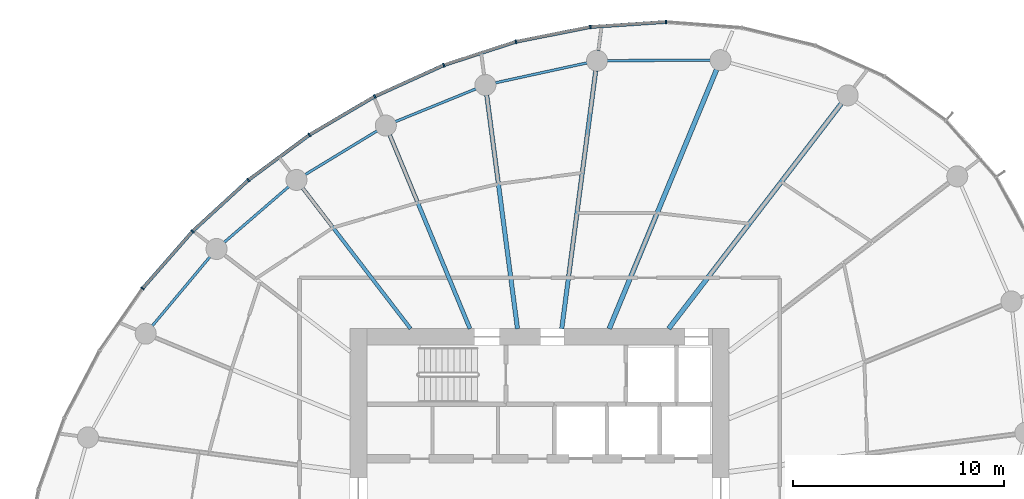
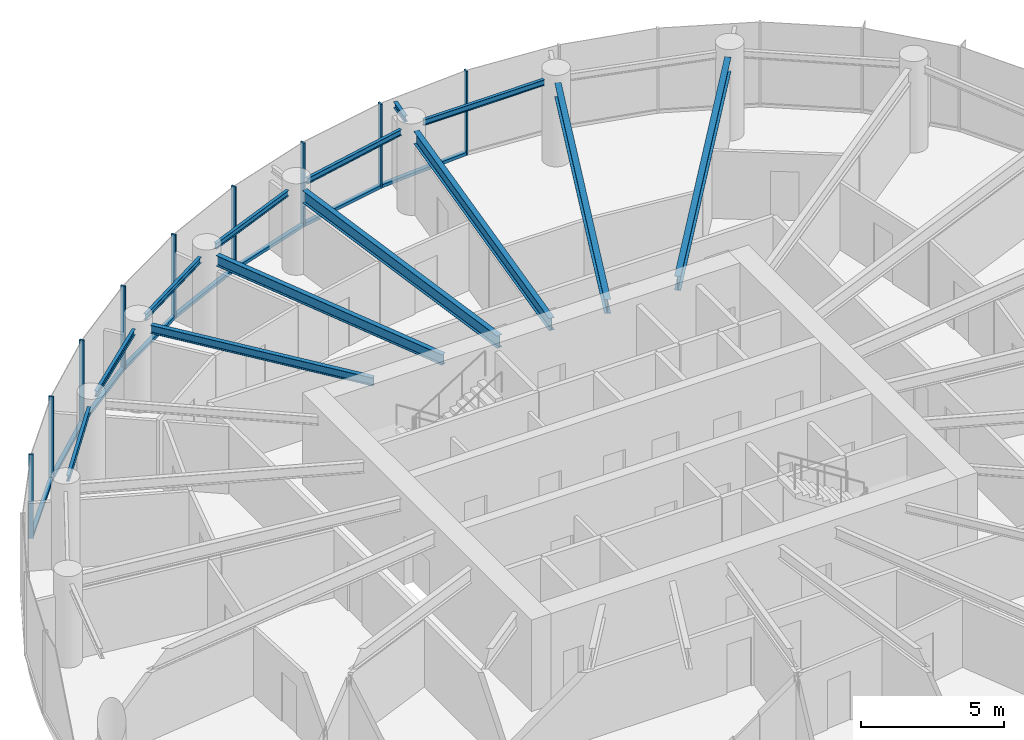
# One storey, part 5 of 15: 17 members, 13 beams, 3 elements without a shape of their own.
"""IFC4 building model written with IfcOpenShell, lengths in metres."""

from ifc_helpers import new_model, si_unit, direction, frame, origin, origin_2d, place, context, subcontext, project, spatial, rectangle, i_section, extrude, source, transform, mapped, material, layer, layer_set, material_profile, profile_set, type_object, element, aggregate, save


model = new_model("IFC4")

# Units and contexts
model_context = context("Model", 3, precision=1e-05, world=origin(), true_north=direction((0.0, 1.0)))
body_context = subcontext(model_context, "Body", "Model", "MODEL_VIEW")
ifc_project = project(units=[si_unit("LENGTHUNIT", "METRE"), si_unit("AREAUNIT", "SQUARE_METRE"), si_unit("VOLUMEUNIT", "CUBIC_METRE"), si_unit("PLANEANGLEUNIT", "RADIAN"), si_unit("MASSUNIT", "GRAM", prefix="KILO")], contexts=[model_context])

# Site, building, storey
site_placement = place(None, origin())
site = spatial("IfcSite", under=ifc_project, at=site_placement, CompositionType="ELEMENT")
building_placement = place(site_placement, origin())
building = spatial("IfcBuilding", under=site, at=building_placement, Name="Spindrift Exchange Tower", CompositionType="ELEMENT")
storey_placement = place(building_placement, frame((0.0, 0.0, 168.199951171875)))
storey = spatial("IfcBuildingStorey", under=building, at=storey_placement, Name="L40", CompositionType="ELEMENT", Elevation=168.199951171875)

# Beams
ifc_material_1 = material(Name="Steel Grade 300", Category="steel")
ifc_material_profile_1 = material_profile(ifc_material_1, i_section(OverallWidth=0.1240234375, OverallDepth=0.248046875, WebThickness=0.0048828125, FlangeThickness=0.008056640625, FilletRadius=0.011962890625, at=origin_2d()), Name="250UB25.7")
ifc_profile_set_1 = profile_set([ifc_material_profile_1], Name="Steel Grade 300")
beam_type_1 = type_object("IfcBeamType", Name="Edge Beam 250UB25.7 Steel Grade 300", PredefinedType="SPANDREL", material=ifc_profile_set_1)
shared_shape_1 = source(origin(), body_context, "Body", "SweptSolid", [
    extrude(i_section(OverallWidth=0.1240234375, OverallDepth=0.248046875, WebThickness=0.0048828125, FlangeThickness=0.008056640625, FilletRadius=0.011962890625, at=origin_2d()), origin(), (0.0, 0.0, 1.0), 4.901123046875),
])
beam_1_placement = place(storey_placement, frame((60.10693359375, 68.728759765625, 3.4560546875), z_axis=(-0.999990609444, -0.004333707747, 0.0), x_axis=(0.004333707747, -0.999990609444, 0.0)))
element("IfcBeam", 1, at=beam_1_placement, inside=storey, type_object=beam_type_1, Name="L40 edge beam E05", PredefinedType="SPANDREL", context=body_context, shape_type="MappedRepresentation", body=[
    mapped(shared_shape_1, transform((0.0, 0.0, 0.0), scale=1.0)),
])
shared_shape_2 = source(origin(), body_context, "Body", "SweptSolid", [
    extrude(i_section(OverallWidth=0.1240234375, OverallDepth=0.248046875, WebThickness=0.0048828125, FlangeThickness=0.008056640625, FilletRadius=0.011962890625, at=origin_2d()), origin(), (0.0, 0.0, 1.0), 4.464111328125),
])
beam_2_placement = place(storey_placement, frame((54.2568359375, 68.603271484375, 3.4560546875), z_axis=(-0.977095837978, -0.212799726048, 0.0), x_axis=(0.212799726048, -0.977095837978, 0.0)))
element("IfcBeam", 2, at=beam_2_placement, inside=storey, type_object=beam_type_1, Name="L40 edge beam E06", PredefinedType="SPANDREL", context=body_context, shape_type="MappedRepresentation", body=[
    mapped(shared_shape_2, transform((0.0, 0.0, 0.0), scale=1.0)),
])
shared_shape_3 = source(origin(), body_context, "Body", "SweptSolid", [
    extrude(i_section(OverallWidth=0.1240234375, OverallDepth=0.248046875, WebThickness=0.0048828125, FlangeThickness=0.008056640625, FilletRadius=0.011962890625, at=origin_2d()), origin(), (0.0, 0.0, 1.0), 4.143798828125),
])
beam_3_placement = place(storey_placement, frame((48.9814453125, 67.3701171875, 3.4560546875), z_axis=(-0.926113706975, -0.377244485385, 0.0), x_axis=(0.377244485385, -0.926113706975, 0.0)))
element("IfcBeam", 3, at=beam_3_placement, inside=storey, type_object=beam_type_1, Name="L40 edge beam E07", PredefinedType="SPANDREL", context=body_context, shape_type="MappedRepresentation", body=[
    mapped(shared_shape_3, transform((0.0, 0.0, 0.0), scale=1.0)),
])
shared_shape_4 = source(origin(), body_context, "Body", "SweptSolid", [
    extrude(i_section(OverallWidth=0.1240234375, OverallDepth=0.248046875, WebThickness=0.0048828125, FlangeThickness=0.008056640625, FilletRadius=0.011962890625, at=origin_2d()), origin(), (0.0, 0.0, 1.0), 4.00634765625),
])
beam_4_placement = place(storey_placement, frame((44.2890625, 65.376220703125, 3.4560546875), z_axis=(-0.854331495603, -0.519728482596, 0.0), x_axis=(0.519728482596, -0.854331495603, 0.0)))
element("IfcBeam", 4, at=beam_4_placement, inside=storey, type_object=beam_type_1, Name="L40 edge beam E08", PredefinedType="SPANDREL", context=body_context, shape_type="MappedRepresentation", body=[
    mapped(shared_shape_4, transform((0.0, 0.0, 0.0), scale=1.0)),
])
shared_shape_5 = source(origin(), body_context, "Body", "SweptSolid", [
    extrude(i_section(OverallWidth=0.1240234375, OverallDepth=0.248046875, WebThickness=0.0048828125, FlangeThickness=0.008056640625, FilletRadius=0.011962890625, at=origin_2d()), origin(), (0.0, 0.0, 1.0), 4.052001953125),
])
beam_5_placement = place(storey_placement, frame((40.093017578125, 62.730712890625, 3.4560546875), z_axis=(-0.756715968535, -0.65374379, 0.0), x_axis=(0.65374379, -0.756715968535, 0.0)))
element("IfcBeam", 5, at=beam_5_placement, inside=storey, type_object=beam_type_1, Name="L40 edge beam E09", PredefinedType="SPANDREL", context=body_context, shape_type="MappedRepresentation", body=[
    mapped(shared_shape_5, transform((0.0, 0.0, 0.0), scale=1.0)),
])
shared_shape_6 = source(origin(), body_context, "Body", "SweptSolid", [
    extrude(i_section(OverallWidth=0.1240234375, OverallDepth=0.248046875, WebThickness=0.0048828125, FlangeThickness=0.008056640625, FilletRadius=0.011962890625, at=origin_2d()), origin(), (0.0, 0.0, 1.0), 4.282958984375),
])
beam_6_placement = place(storey_placement, frame((36.355712890625, 59.399658203125, 3.4560546875), z_axis=(-0.641400288548, -0.767206406289, 0.0), x_axis=(0.767206406289, -0.641400288548, 0.0)))
element("IfcBeam", 6, at=beam_6_placement, inside=storey, type_object=beam_type_1, Name="L40 edge beam E10", PredefinedType="SPANDREL", context=body_context, shape_type="MappedRepresentation", body=[
    mapped(shared_shape_6, transform((0.0, 0.0, 0.0), scale=1.0)),
])
ifc_material_profile_2 = material_profile(ifc_material_1, i_section(OverallWidth=0.22802734375, OverallDepth=0.60205078125, WebThickness=0.010498046875, FlangeThickness=0.014892578125, FilletRadius=0.013916015625, at=origin_2d()), Name="610UB101")
ifc_profile_set_2 = profile_set([ifc_material_profile_2], Name="Steel Grade 300")
beam_type_2 = type_object("IfcBeamType", Name="Floor Beam 610UB101 Steel Grade 300", PredefinedType="BEAM", material=ifc_profile_set_2)
shared_shape_7 = source(origin(), body_context, "Body", "SweptSolid", [
    extrude(i_section(OverallWidth=0.22802734375, OverallDepth=0.60205078125, WebThickness=0.010498046875, FlangeThickness=0.014892578125, FilletRadius=0.013916015625, at=origin_2d()), origin(), (0.0, 0.0, 1.0), 13.480224609375),
])
beam_7_placement = place(storey_placement, frame((58.12646484375, 55.984130859375, 3.279052734375), z_axis=(0.608764179541, 0.793351229726, 0.0), x_axis=(-0.793351229726, 0.608764179541, 0.0)))
element("IfcBeam", 7, at=beam_7_placement, inside=storey, type_object=beam_type_2, Name="L40 radial beam R04A", PredefinedType="BEAM", context=body_context, shape_type="MappedRepresentation", body=[
    mapped(shared_shape_7, transform((0.0, 0.0, 0.0), scale=1.0)),
])
shared_shape_8 = source(origin(), body_context, "Body", "SweptSolid", [
    extrude(i_section(OverallWidth=0.22802734375, OverallDepth=0.60205078125, WebThickness=0.010498046875, FlangeThickness=0.014892578125, FilletRadius=0.013916015625, at=origin_2d()), origin(), (0.0, 0.0, 1.0), 13.31982421875),
])
beam_8_placement = place(storey_placement, frame((55.30615234375, 55.9814453125, 3.279052734375), z_axis=(0.382676632888, 0.923882348918, 0.0), x_axis=(-0.923882348918, 0.382676632888, 0.0)))
element("IfcBeam", 8, at=beam_8_placement, inside=storey, type_object=beam_type_2, Name="L40 radial beam R05A", PredefinedType="BEAM", context=body_context, shape_type="MappedRepresentation", body=[
    mapped(shared_shape_8, transform((0.0, 0.0, 0.0), scale=1.0)),
])
ifc_material_profile_3 = material_profile(ifc_material_1, i_section(OverallWidth=0.208984375, OverallDepth=0.528076171875, WebThickness=0.009521484375, FlangeThickness=0.01318359375, FilletRadius=0.013916015625, at=origin_2d()), Name="530UB82.0")
ifc_profile_set_3 = profile_set([ifc_material_profile_3], Name="Steel Grade 300")
beam_type_3 = type_object("IfcBeamType", Name="Floor Beam 530UB82.0 Steel Grade 300", PredefinedType="BEAM", material=ifc_profile_set_3)
shared_shape_9 = source(origin(), body_context, "Body", "SweptSolid", [
    extrude(i_section(OverallWidth=0.208984375, OverallDepth=0.528076171875, WebThickness=0.009521484375, FlangeThickness=0.01318359375, FilletRadius=0.013916015625, at=origin_2d()), origin(), (0.0, 0.0, 1.0), 12.35498046875),
])
beam_9_placement = place(storey_placement, frame((53.050537109375, 55.980224609375, 3.316162109375), z_axis=(0.130537831721, 0.991443328935, 0.0), x_axis=(-0.991443328935, 0.130537831721, 0.0)))
element("IfcBeam", 9, at=beam_9_placement, inside=storey, type_object=beam_type_3, Name="L40 radial beam R06A", PredefinedType="BEAM", context=body_context, shape_type="MappedRepresentation", body=[
    mapped(shared_shape_9, transform((0.0, 0.0, 0.0), scale=1.0)),
])
shared_shape_10 = source(origin(), body_context, "Body", "SweptSolid", [
    extrude(i_section(OverallWidth=0.208984375, OverallDepth=0.528076171875, WebThickness=0.009521484375, FlangeThickness=0.01318359375, FilletRadius=0.013916015625, at=origin_2d()), origin(), (0.0, 0.0, 1.0), 11.19091796875),
])
beam_10_placement = place(storey_placement, frame((50.949462890625, 55.980224609375, 3.316162109375), z_axis=(-0.130524489434, 0.991445085548, 0.0), x_axis=(-0.991445085548, -0.130524489434, 0.0)))
element("IfcBeam", 10, at=beam_10_placement, inside=storey, type_object=beam_type_3, Name="L40 radial beam R07A", PredefinedType="BEAM", context=body_context, shape_type="MappedRepresentation", body=[
    mapped(shared_shape_10, transform((0.0, 0.0, 0.0), scale=1.0)),
])
ifc_material_profile_4 = material_profile(ifc_material_1, i_section(OverallWidth=0.18994140625, OverallDepth=0.4541015625, WebThickness=0.008544921875, FlangeThickness=0.0126953125, FilletRadius=0.013916015625, at=origin_2d()), Name="460UB67.1")
ifc_profile_set_4 = profile_set([ifc_material_profile_4], Name="Steel Grade 300")
beam_type_4 = type_object("IfcBeamType", Name="Floor Beam 460UB67.1 Steel Grade 300", PredefinedType="BEAM", material=ifc_profile_set_4)
shared_shape_11 = source(origin(), body_context, "Body", "SweptSolid", [
    extrude(i_section(OverallWidth=0.18994140625, OverallDepth=0.4541015625, WebThickness=0.008544921875, FlangeThickness=0.0126953125, FilletRadius=0.013916015625, at=origin_2d()), origin(), (0.0, 0.0, 1.0), 9.958984375),
])
beam_11_placement = place(storey_placement, frame((48.69384765625, 55.9814453125, 3.35302734375), z_axis=(-0.382673670509, 0.923883575944, 0.0), x_axis=(-0.923883575944, -0.382673670509, 0.0)))
element("IfcBeam", 11, at=beam_11_placement, inside=storey, type_object=beam_type_4, Name="L40 radial beam R08A", PredefinedType="BEAM", context=body_context, shape_type="MappedRepresentation", body=[
    mapped(shared_shape_11, transform((0.0, 0.0, 0.0), scale=1.0)),
])
ifc_material_profile_5 = material_profile(ifc_material_1, i_section(OverallWidth=0.1708984375, OverallDepth=0.35205078125, WebThickness=0.0068359375, FlangeThickness=0.009765625, FilletRadius=0.013916015625, at=origin_2d()), Name="360UB44.7")
ifc_profile_set_5 = profile_set([ifc_material_profile_5], Name="Steel Grade 300")
beam_type_5 = type_object("IfcBeamType", Name="Floor Beam 360UB44.7 Steel Grade 300", PredefinedType="BEAM", material=ifc_profile_set_5)
shared_shape_12 = source(origin(), body_context, "Body", "SweptSolid", [
    extrude(i_section(OverallWidth=0.1708984375, OverallDepth=0.35205078125, WebThickness=0.0068359375, FlangeThickness=0.009765625, FilletRadius=0.013916015625, at=origin_2d()), origin(), (0.0, 0.0, 1.0), 8.419189453125),
])
beam_12_placement = place(storey_placement, frame((45.87353515625, 55.984130859375, 3.404052734375), z_axis=(-0.608755970582, 0.79335752866, 0.0), x_axis=(-0.79335752866, -0.608755970582, 0.0)))
element("IfcBeam", 12, at=beam_12_placement, inside=storey, type_object=beam_type_5, Name="L40 radial beam R09A", PredefinedType="BEAM", context=body_context, shape_type="MappedRepresentation", body=[
    mapped(shared_shape_12, transform((0.0, 0.0, 0.0), scale=1.0)),
])
ifc_material_profile_6 = material_profile(ifc_material_1, i_section(OverallWidth=0.14599609375, OverallDepth=0.251953125, WebThickness=0.006103515625, FlangeThickness=0.008544921875, FilletRadius=0.011962890625, at=origin_2d()), Name="250UB31.4")
ifc_profile_set_6 = profile_set([ifc_material_profile_6], Name="Steel Grade 300")
beam_type_6 = type_object("IfcBeamType", Name="Cantilever Beam 250UB31.4 Steel Grade 300", PredefinedType="BEAM", material=ifc_profile_set_6)
shared_shape_13 = source(origin(), body_context, "Body", "SweptSolid", [
    extrude(i_section(OverallWidth=0.14599609375, OverallDepth=0.251953125, WebThickness=0.006103515625, FlangeThickness=0.008544921875, FilletRadius=0.011962890625, at=origin_2d()), origin(), (0.0, 0.0, 1.0), 0.966796875),
])
beam_13_placement = place(storey_placement, frame((54.78857421875, 69.18115234375, 3.4541015625), z_axis=(0.130559031548, 0.991440537441, 0.0), x_axis=(-0.991440537441, 0.130559031548, 0.0)))
element("IfcBeam", 13, at=beam_13_placement, inside=storey, type_object=beam_type_6, Name="L40 cantilever beam R06T", PredefinedType="BEAM", context=body_context, shape_type="MappedRepresentation", body=[
    mapped(shared_shape_13, transform((0.0, 0.0, 0.0), scale=1.0)),
])

# Curtain wall, member
ifc_material_2 = material(Name="Fritted laminated glass with bronze frame", Category="glass")
ifc_layer = layer(ifc_material_2, 0.179931640625)
ifc_layer_set = layer_set([ifc_layer], Name="ZONE 3 BRONZE FRITTED WALL")
curtain_wall_type = type_object("IfcCurtainWallType", Name="ZONE 3 BRONZE FRITTED WALL", PredefinedType="NOTDEFINED", material=ifc_layer_set)
curtain_wall_1_placement = place(storey_placement, origin())
curtain_wall_1 = element("IfcCurtainWall", 14, at=curtain_wall_1_placement, inside=storey, type_object=curtain_wall_type, Name="L40 Zone 3 Bronze Fritted Wall run 2", PredefinedType="NOTDEFINED")
ifc_material_3 = material(Name="Bronze anodised aluminium", Category="aluminium")
ifc_material_profile_7 = material_profile(ifc_material_3, rectangle(XDim=0.159912109375, YDim=0.1298828125, at=origin_2d()), Name="ZONE 3 BRONZE FRITTED WALL TRANSOM 160X130")
ifc_profile_set_7 = profile_set([ifc_material_profile_7], Name="Bronze anodised aluminium")
member_type_1 = type_object("IfcMemberType", Name="ZONE 3 BRONZE FRITTED WALL TRANSOM 160X130", PredefinedType="USERDEFINED", material=ifc_profile_set_7)
shared_shape_14 = source(origin(), body_context, "Body", "SweptSolid", [
    extrude(rectangle(XDim=0.159912109375, YDim=0.1298828125, at=origin_2d()), origin(), (0.0, 0.0, 1.0), 3.53076171875),
])
member_1_placement = place(storey_placement, frame((50.843505859375, 69.5947265625, 0.06494140625), z_axis=(-0.951075729316, -0.308957856521, 0.0), x_axis=(0.308957856521, -0.951075729316, 0.0)))
member_1 = element("IfcMember", 15, at=member_1_placement, type_object=member_type_1, Name="L40 transom CW-3.8", ObjectType="TRANSOM", PredefinedType="USERDEFINED", context=body_context, shape_type="MappedRepresentation", body=[
    mapped(shared_shape_14, transform((0.0, 0.0, 0.0), scale=1.0)),
])

curtain_wall_2_placement = place(storey_placement, origin())
curtain_wall_2 = element("IfcCurtainWall", 16, at=curtain_wall_2_placement, inside=storey, type_object=curtain_wall_type, Name="L40 Zone 3 Bronze Fritted Wall run 3", PredefinedType="NOTDEFINED")
member_2_placement = place(storey_placement, frame((35.4990234375, 60.577392578125, 0.06494140625), z_axis=(-0.658964644503, -0.752173914261, 0.0), x_axis=(0.752173914261, -0.658964644503, 0.0)))
member_2 = element("IfcMember", 17, at=member_2_placement, type_object=member_type_1, Name="L40 transom CW-3.13", ObjectType="TRANSOM", PredefinedType="USERDEFINED", context=body_context, shape_type="MappedRepresentation", body=[
    mapped(shared_shape_14, transform((0.0, 0.0, 0.0), scale=1.0)),
])

# Member
shared_shape_15 = source(origin(), body_context, "Body", "SweptSolid", [
    extrude(rectangle(XDim=0.159912109375, YDim=0.1298828125, at=origin_2d()), origin(), (0.0, 0.0, 1.0), 3.531005859375),
])
member_3_placement = place(storey_placement, frame((44.142333984375, 66.98974609375, 0.06494140625), z_axis=(-0.861775983816, -0.507289023849, 0.0), x_axis=(0.507289023849, -0.861775983816, 0.0)))
member_3 = element("IfcMember", 18, at=member_3_placement, type_object=member_type_1, Name="L40 transom CW-3.10", ObjectType="TRANSOM", PredefinedType="USERDEFINED", context=body_context, shape_type="MappedRepresentation", body=[
    mapped(shared_shape_15, transform((0.0, 0.0, 0.0), scale=1.0)),
])

member_4_placement = place(storey_placement, frame((41.041259765625, 65.159912109375, 0.06494140625), z_axis=(-0.803849833801, -0.594832282831, 0.0), x_axis=(0.594832282831, -0.803849833801, 0.0)))
member_4 = element("IfcMember", 19, at=member_4_placement, type_object=member_type_1, Name="L40 transom CW-3.11", ObjectType="TRANSOM", PredefinedType="USERDEFINED", context=body_context, shape_type="MappedRepresentation", body=[
    mapped(shared_shape_15, transform((0.0, 0.0, 0.0), scale=1.0)),
])

member_5_placement = place(storey_placement, frame((38.14892578125, 63.01513671875, 0.06494140625), z_axis=(-0.73664305856, -0.676281749181, 0.0), x_axis=(0.676281749181, -0.73664305856, 0.0)))
member_5 = element("IfcMember", 20, at=member_5_placement, type_object=member_type_1, Name="L40 transom CW-3.12", ObjectType="TRANSOM", PredefinedType="USERDEFINED", context=body_context, shape_type="MappedRepresentation", body=[
    mapped(shared_shape_15, transform((0.0, 0.0, 0.0), scale=1.0)),
])

shared_shape_16 = source(origin(), body_context, "Body", "SweptSolid", [
    extrude(rectangle(XDim=0.159912109375, YDim=0.1298828125, at=origin_2d()), origin(), (0.0, 0.0, 1.0), 3.5302734375),
])
member_6_placement = place(storey_placement, frame((54.3740234375, 70.299072265625, 0.06494140625), z_axis=(-0.980895916164, -0.19453329189, 0.0), x_axis=(0.19453329189, -0.980895916164, 0.0)))
member_6 = element("IfcMember", 21, at=member_6_placement, type_object=member_type_1, Name="L40 transom CW-3.7", ObjectType="TRANSOM", PredefinedType="USERDEFINED", context=body_context, shape_type="MappedRepresentation", body=[
    mapped(shared_shape_16, transform((0.0, 0.0, 0.0), scale=1.0)),
])

shared_shape_17 = source(origin(), body_context, "Body", "SweptSolid", [
    extrude(rectangle(XDim=0.159912109375, YDim=0.1298828125, at=origin_2d()), origin(), (0.0, 0.0, 1.0), 3.530517578125),
])
member_7_placement = place(storey_placement, frame((47.42041015625, 68.478759765625, 0.06494140625), z_axis=(-0.910905636521, -0.412614737199, 0.0), x_axis=(0.412614737199, -0.910905636521, 0.0)))
member_7 = element("IfcMember", 22, at=member_7_placement, type_object=member_type_1, Name="L40 transom CW-3.9", ObjectType="TRANSOM", PredefinedType="USERDEFINED", context=body_context, shape_type="MappedRepresentation", body=[
    mapped(shared_shape_17, transform((0.0, 0.0, 0.0), scale=1.0)),
])

# Curtain wall, member
curtain_wall_3_placement = place(storey_placement, origin())
curtain_wall_3 = element("IfcCurtainWall", 23, at=curtain_wall_3_placement, inside=storey, type_object=curtain_wall_type, Name="L40 Zone 3 Bronze Fritted Wall run 1", PredefinedType="NOTDEFINED")
ifc_material_profile_8 = material_profile(ifc_material_3, rectangle(XDim=0.070068359375, YDim=0.179931640625, at=origin_2d()), Name="ZONE 3 BRONZE FRITTED WALL MULLION 70X180")
ifc_profile_set_8 = profile_set([ifc_material_profile_8], Name="Bronze anodised aluminium")
member_type_2 = type_object("IfcMemberType", Name="ZONE 3 BRONZE FRITTED WALL MULLION 70X180", PredefinedType="MULLION", material=ifc_profile_set_8)
shared_shape_18 = source(origin(), body_context, "Body", "SweptSolid", [
    extrude(rectangle(XDim=0.070068359375, YDim=0.179931640625, at=origin_2d()), origin(), (0.0, 0.0, 1.0), 3.580078125),
])
member_8_placement = place(storey_placement, frame((58.0, 70.547119140625, 0.0), z_axis=(0.0, 0.0, 1.0), x_axis=(-0.999990462345, 0.004367518682, 0.0)))
member_8 = element("IfcMember", 24, at=member_8_placement, type_object=member_type_2, Name="L40 mullion CW-3.6", PredefinedType="MULLION", context=body_context, shape_type="MappedRepresentation", body=[
    mapped(shared_shape_18, transform((0.0, 0.0, 0.0), scale=1.0)),
])

# Member
member_9_placement = place(storey_placement, frame((54.408203125, 70.305908203125, 0.0), z_axis=(0.0, 0.0, 1.0), x_axis=(-0.99137675379, -0.13104248183, 0.0)))
member_9 = element("IfcMember", 25, at=member_9_placement, type_object=member_type_2, Name="L40 mullion CW-3.7", PredefinedType="MULLION", context=body_context, shape_type="MappedRepresentation", body=[
    mapped(shared_shape_18, transform((0.0, 0.0, 0.0), scale=1.0)),
])

member_10_placement = place(storey_placement, frame((50.876708984375, 69.605712890625, 0.0), z_axis=(0.0, 0.0, 1.0), x_axis=(-0.967675030956, -0.252200385535, 0.0)))
member_10 = element("IfcMember", 26, at=member_10_placement, type_object=member_type_2, Name="L40 mullion CW-3.8", PredefinedType="MULLION", context=body_context, shape_type="MappedRepresentation", body=[
    mapped(shared_shape_18, transform((0.0, 0.0, 0.0), scale=1.0)),
])

member_11_placement = place(storey_placement, frame((47.452392578125, 68.4931640625, 0.0), z_axis=(0.0, 0.0, 1.0), x_axis=(-0.932435149858, -0.36133736495, 0.0)))
member_11 = element("IfcMember", 27, at=member_11_placement, type_object=member_type_2, Name="L40 mullion CW-3.9", PredefinedType="MULLION", context=body_context, shape_type="MappedRepresentation", body=[
    mapped(shared_shape_18, transform((0.0, 0.0, 0.0), scale=1.0)),
])

member_12_placement = place(storey_placement, frame((44.17236328125, 67.007568359375, 0.0), z_axis=(0.0, 0.0, 1.0), x_axis=(-0.887604698528, -0.460606012934, 0.0)))
member_12 = element("IfcMember", 28, at=member_12_placement, type_object=member_type_2, Name="L40 mullion CW-3.10", PredefinedType="MULLION", context=body_context, shape_type="MappedRepresentation", body=[
    mapped(shared_shape_18, transform((0.0, 0.0, 0.0), scale=1.0)),
])

member_13_placement = place(storey_placement, frame((41.0693359375, 65.1806640625, 0.0), z_axis=(0.0, 0.0, 1.0), x_axis=(-0.833949487236, -0.551840785679, 0.0)))
member_13 = element("IfcMember", 29, at=member_13_placement, type_object=member_type_2, Name="L40 mullion CW-3.11", PredefinedType="MULLION", context=body_context, shape_type="MappedRepresentation", body=[
    mapped(shared_shape_18, transform((0.0, 0.0, 0.0), scale=1.0)),
])

member_14_placement = place(storey_placement, frame((38.1748046875, 63.038818359375, 0.0), z_axis=(0.0, 0.0, 1.0), x_axis=(-0.77132765978, -0.636438246225, 0.0)))
member_14 = element("IfcMember", 30, at=member_14_placement, type_object=member_type_2, Name="L40 mullion CW-3.12", PredefinedType="MULLION", context=body_context, shape_type="MappedRepresentation", body=[
    mapped(shared_shape_18, transform((0.0, 0.0, 0.0), scale=1.0)),
])

aggregate(curtain_wall_1, [member_9, member_6, member_10, member_1, member_11, member_7, member_12, member_3, member_13, member_4, member_14, member_5])

member_15_placement = place(storey_placement, frame((35.522216796875, 60.603515625, 0.0), z_axis=(0.0, 0.0, 1.0), x_axis=(-0.698853679221, -0.715264660835, 0.0)))
member_15 = element("IfcMember", 31, at=member_15_placement, type_object=member_type_2, Name="L40 mullion CW-3.13", PredefinedType="MULLION", context=body_context, shape_type="MappedRepresentation", body=[
    mapped(shared_shape_18, transform((0.0, 0.0, 0.0), scale=1.0)),
])

member_16_placement = place(storey_placement, frame((33.1494140625, 57.895263671875, 0.0), z_axis=(0.0, 0.0, 1.0), x_axis=(-0.614923297805, -0.788586924705, 0.0)))
member_16 = element("IfcMember", 32, at=member_16_placement, type_object=member_type_2, Name="L40 mullion CW-3.14", PredefinedType="MULLION", context=body_context, shape_type="MappedRepresentation", body=[
    mapped(shared_shape_18, transform((0.0, 0.0, 0.0), scale=1.0)),
])

aggregate(curtain_wall_2, [member_15, member_2, member_16])

shared_shape_19 = source(origin(), body_context, "Body", "SweptSolid", [
    extrude(rectangle(XDim=0.159912109375, YDim=0.1298828125, at=origin_2d()), origin(), (0.0, 0.0, 1.0), 3.530029296875),
])
member_17_placement = place(storey_placement, frame((57.965087890625, 70.544921875, 0.06494140625), z_axis=(-0.997751674812, -0.067019365929, 0.0), x_axis=(0.067019365929, -0.997751674812, 0.0)))
member_17 = element("IfcMember", 33, at=member_17_placement, type_object=member_type_1, Name="L40 transom CW-3.6", ObjectType="TRANSOM", PredefinedType="USERDEFINED", context=body_context, shape_type="MappedRepresentation", body=[
    mapped(shared_shape_19, transform((0.0, 0.0, 0.0), scale=1.0)),
])

aggregate(curtain_wall_3, [member_8, member_17])

save(model, "model.ifc")
